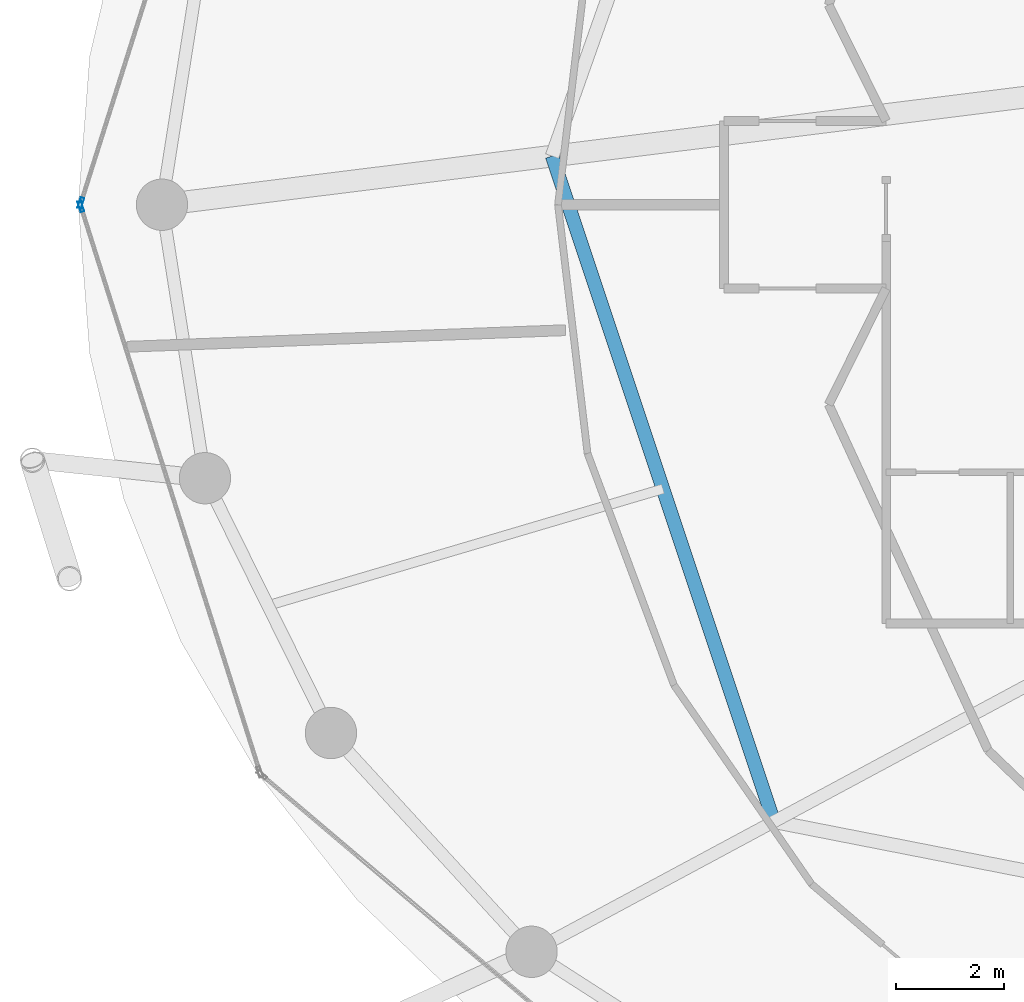
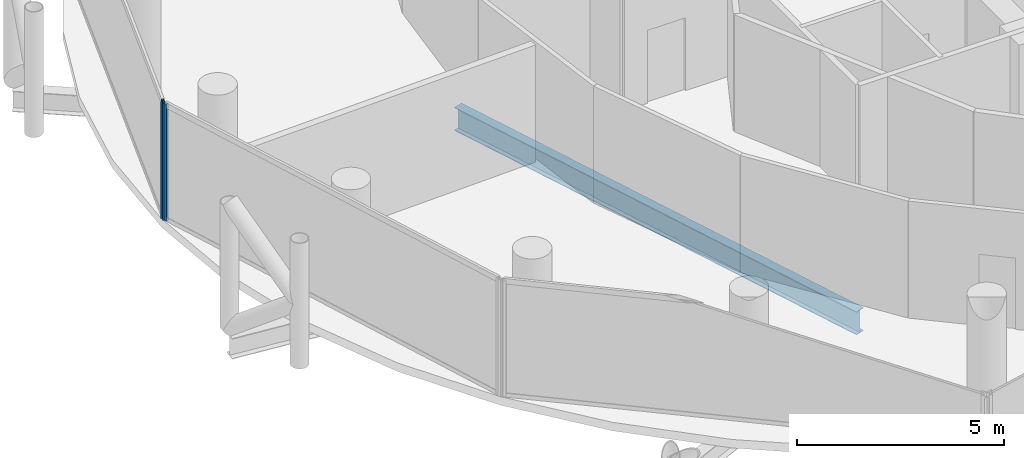
# One storey, part 6 of 26: 2 members, 1 beam, 2 elements without a shape of their own.
"""IFC4 building model written with IfcOpenShell, lengths in metres."""

from ifc_helpers import new_model, si_unit, direction, frame, origin, origin_2d, place, context, subcontext, project, spatial, hollow_rectangle, i_section, extrude, material, layer, layer_set, material_profile, profile_set, type_object, element, aggregate, save


model = new_model("IFC4")

# Units and contexts
model_context = context("Model", 3, precision=1e-05, world=origin(), true_north=direction((0.0, 1.0)))
body_context = subcontext(model_context, "Body", "Model", "MODEL_VIEW")
ifc_project = project(units=[si_unit("LENGTHUNIT", "METRE"), si_unit("AREAUNIT", "SQUARE_METRE"), si_unit("VOLUMEUNIT", "CUBIC_METRE"), si_unit("PLANEANGLEUNIT", "RADIAN"), si_unit("MASSUNIT", "GRAM", prefix="KILO")], contexts=[model_context])

# Site, building, storey
site_placement = place(None, origin())
site = spatial("IfcSite", under=ifc_project, at=site_placement, CompositionType="ELEMENT")
building_placement = place(site_placement, origin())
building = spatial("IfcBuilding", under=site, at=building_placement, Name="Nuhasar Tower", CompositionType="ELEMENT")
storey_placement = place(building_placement, frame((0.0, 0.0, 129.35009765625)))
storey = spatial("IfcBuildingStorey", under=building, at=storey_placement, Name="L30", CompositionType="ELEMENT", Elevation=129.35009765625)

# Beam
ifc_material_1 = material(Name="Steel S355", Category="steel")
ifc_material_profile_1 = material_profile(ifc_material_1, i_section(OverallWidth=0.25390625, OverallDepth=0.68408203125, WebThickness=0.012451171875, FlangeThickness=0.018798828125, at=origin_2d()), Name="W27X94")
ifc_profile_set_1 = profile_set([ifc_material_profile_1], Name="Steel S355")
beam_type = type_object("IfcBeamType", Name="BM-INRING-W27X94", PredefinedType="BEAM", material=ifc_profile_set_1)
beam_placement = place(storey_placement, frame((22.8701171875, 27.699951171875, -0.592041015625), z_axis=(0.31609797573, -0.948726551615, 0.0), x_axis=(0.948726551615, 0.31609797573, 0.0)))
element("IfcBeam", 1, at=beam_placement, inside=storey, type_object=beam_type, Name="L30 Inner Header Beam 08", PredefinedType="BEAM", context=body_context, shape_type="SweptSolid", body=[
    extrude(i_section(OverallWidth=0.25390625, OverallDepth=0.68408203125, WebThickness=0.012451171875, FlangeThickness=0.018798828125, at=origin_2d()), origin(), (0.0, 0.0, 1.0), 12.9794921875),
])

# Curtain wall, member
ifc_material_2 = material(Name="Aluminium 6063-T6", Category="aluminium")
ifc_layer = layer(ifc_material_2, 0.199951171875)
ifc_layer_set = layer_set([ifc_layer], Name="Aluminium 6063-T6")
curtain_wall_type = type_object("IfcCurtainWallType", Name="CW-Z2-HTL", PredefinedType="NOTDEFINED", material=ifc_layer_set)
curtain_wall_1_placement = place(storey_placement, origin())
curtain_wall_1 = element("IfcCurtainWall", 2, at=curtain_wall_1_placement, inside=storey, type_object=curtain_wall_type, Name="L30 Unitised Curtain Wall 06", PredefinedType="NOTDEFINED")
ifc_material_profile_2 = material_profile(ifc_material_2, hollow_rectangle(XDim=0.070068359375, YDim=0.199951171875, WallThickness=0.0048828125, at=origin_2d()), Name="CWM-3")
ifc_profile_set_2 = profile_set([ifc_material_profile_2], Name="Aluminium 6063-T6")
member_type = type_object("IfcMemberType", Name="CW-MUL-S3", PredefinedType="MULLION", material=ifc_profile_set_2)
member_1_placement = place(storey_placement, frame((14.150634765625, 26.833251953125, 0.0), z_axis=(0.0, 0.0, 1.0), x_axis=(0.953433389233, -0.301603667577, 0.0)))
member_1 = element("IfcMember", 3, at=member_1_placement, type_object=member_type, Name="CW-Z2 mullion 2", PredefinedType="MULLION", context=body_context, shape_type="SweptSolid", body=[
    extrude(hollow_rectangle(XDim=0.070068359375, YDim=0.199951171875, WallThickness=0.0048828125, at=origin_2d()), origin(), (0.0, 0.0, 1.0), 3.449951171875),
])
aggregate(curtain_wall_1, [member_1])

curtain_wall_2_placement = place(storey_placement, origin())
curtain_wall_2 = element("IfcCurtainWall", 4, at=curtain_wall_2_placement, inside=storey, type_object=curtain_wall_type, Name="L30 Unitised Curtain Wall 07", PredefinedType="NOTDEFINED")
member_2_placement = place(storey_placement, frame((14.150634765625, 26.7666015625, 0.0), z_axis=(0.0, 0.0, 1.0), x_axis=(0.953433389233, 0.301603667577, 0.0)))
member_2 = element("IfcMember", 5, at=member_2_placement, type_object=member_type, Name="CW-Z2 mullion 1", PredefinedType="MULLION", context=body_context, shape_type="SweptSolid", body=[
    extrude(hollow_rectangle(XDim=0.070068359375, YDim=0.199951171875, WallThickness=0.0048828125, at=origin_2d()), origin(), (0.0, 0.0, 1.0), 3.449951171875),
])
aggregate(curtain_wall_2, [member_2])

save(model, "model.ifc")
